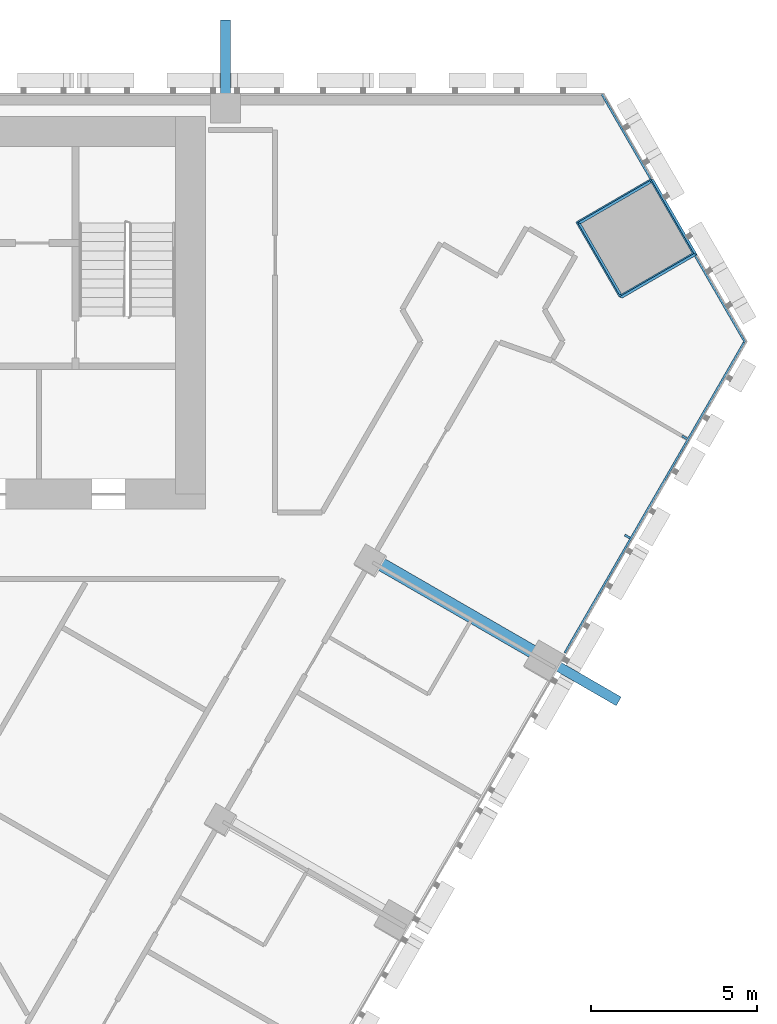
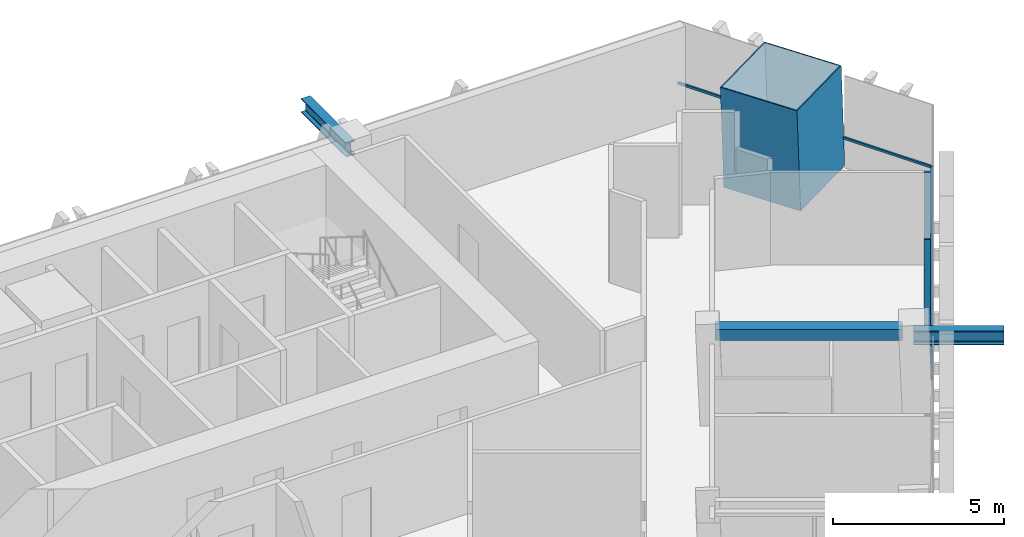
# One storey, part 6 of 15: 8 members, 1 beam, 2 elements without a shape of their own.
"""IFC4 building model written with IfcOpenShell, lengths in metres."""

from ifc_helpers import new_model, si_unit, direction, frame, origin, origin_2d, place, context, subcontext, project, spatial, rectangle, hollow_rectangle, i_section, extrude, material, layer, layer_set, material_profile, profile_set, type_object, element, aggregate, save


model = new_model("IFC4")

# Units and contexts
model_context = context("Model", 3, precision=1e-05, world=origin(), true_north=direction((0.0, 1.0)))
body_context = subcontext(model_context, "Body", "Model", "MODEL_VIEW")
ifc_project = project(units=[si_unit("LENGTHUNIT", "METRE"), si_unit("AREAUNIT", "SQUARE_METRE"), si_unit("VOLUMEUNIT", "CUBIC_METRE"), si_unit("PLANEANGLEUNIT", "RADIAN"), si_unit("MASSUNIT", "GRAM", prefix="KILO")], contexts=[model_context])

# Site, building, storey
site_placement = place(None, origin())
site = spatial("IfcSite", under=ifc_project, at=site_placement, CompositionType="ELEMENT")
building_placement = place(site_placement, origin())
building = spatial("IfcBuilding", under=site, at=building_placement, Name="Altiplano Prism Tower", CompositionType="ELEMENT")
storey_placement = place(building_placement, frame((0.0, 0.0, 91.800048828125)))
storey = spatial("IfcBuildingStorey", under=building, at=storey_placement, Name="L23", CompositionType="ELEMENT", Elevation=91.800048828125)

# Members
ifc_material_1 = material(Name="Steel S355", Category="steel")
ifc_material_profile_1 = material_profile(ifc_material_1, i_section(OverallWidth=0.300048828125, OverallDepth=0.5, WebThickness=0.014404296875, FlangeThickness=0.028076171875, FilletRadius=0.027099609375, at=origin_2d()), Name="Brace bracket HEB 500")
ifc_profile_set_1 = profile_set([ifc_material_profile_1], Name="Steel S355")
member_type_1 = type_object("IfcMemberType", Name="Brace bracket HEB 500", PredefinedType="STRUT", material=ifc_profile_set_1)
member_1_placement = place(storey_placement, frame((98.5, 104.550048828125, 2.949951171875), z_axis=(0.0, 1.0, 0.0), x_axis=(-1.0, 0.0, 0.0)))
element("IfcMember", 1, at=member_1_placement, inside=storey, type_object=member_type_1, Name="Brace bracket 0.95.4", PredefinedType="STRUT", context=body_context, shape_type="SweptSolid", body=[
    extrude(i_section(OverallWidth=0.300048828125, OverallDepth=0.5, WebThickness=0.014404296875, FlangeThickness=0.028076171875, FilletRadius=0.027099609375, at=origin_2d()), origin(), (0.0, 0.0, 1.0), 2.64990234375),
])
member_2_placement = place(storey_placement, frame((108.027099609375, 88.048828125, 2.949951171875), z_axis=(0.865989200783, -0.500062700197, 0.0), x_axis=(0.500062700197, 0.865989200783, 0.0)))
element("IfcMember", 2, at=member_2_placement, inside=storey, type_object=member_type_1, Name="Brace bracket 2.95.4", PredefinedType="STRUT", context=body_context, shape_type="SweptSolid", body=[
    extrude(i_section(OverallWidth=0.300048828125, OverallDepth=0.5, WebThickness=0.014404296875, FlangeThickness=0.028076171875, FilletRadius=0.027099609375, at=origin_2d()), origin(), (0.0, 0.0, 1.0), 2.650146484375),
])

# Curtain wall, members
ifc_material_2 = material(Name="Aluminium and glass", Category="aluminium")
ifc_layer = layer(ifc_material_2, 0.280029296875)
ifc_layer_set = layer_set([ifc_layer], Name="Aluminium and glass")
curtain_wall_type = type_object("IfcCurtainWallType", Name="CW1 typical co-living unitised curtain wall", PredefinedType="NOTDEFINED", material=ifc_layer_set)
curtain_wall_1_placement = place(storey_placement, origin())
curtain_wall_1 = element("IfcCurtainWall", 3, at=curtain_wall_1_placement, inside=storey, type_object=curtain_wall_type, Name="CW1 curtain wall south-east face L23", PredefinedType="NOTDEFINED")
ifc_material_3 = material(Name="Aluminium", Category="aluminium")
ifc_material_profile_2 = material_profile(ifc_material_3, rectangle(XDim=0.179931640625, YDim=0.06494140625, at=origin_2d()), Name="CW1 mullion 65 x 180")
ifc_profile_set_2 = profile_set([ifc_material_profile_2], Name="Aluminium")
member_type_2 = type_object("IfcMemberType", Name="CW1 mullion 65 x 180", PredefinedType="MULLION", material=ifc_profile_set_2)
member_3_placement = place(storey_placement, frame((110.582275390625, 91.67724609375, 0.0), z_axis=(0.0, 0.0, 1.0), x_axis=(-0.866025397248, 0.500000011321, 0.0)))
member_3 = element("IfcMember", 4, at=member_3_placement, type_object=member_type_2, Name="CW1 mullion", PredefinedType="MULLION", context=body_context, shape_type="SweptSolid", body=[
    extrude(rectangle(XDim=0.179931640625, YDim=0.06494140625, at=origin_2d()), origin(), (0.0, 0.0, 1.0), 3.300048828125),
])
member_4_placement = place(storey_placement, frame((112.302001953125, 94.656005859375, 0.0), z_axis=(0.0, 0.0, 1.0), x_axis=(-0.866025397248, 0.500000011321, 0.0)))
member_4 = element("IfcMember", 5, at=member_4_placement, type_object=member_type_2, Name="CW1 mullion", PredefinedType="MULLION", context=body_context, shape_type="SweptSolid", body=[
    extrude(rectangle(XDim=0.179931640625, YDim=0.06494140625, at=origin_2d()), origin(), (0.0, 0.0, 1.0), 3.300048828125),
])
ifc_material_profile_3 = material_profile(ifc_material_3, rectangle(XDim=0.06005859375, YDim=0.080078125, at=origin_2d()), Name="CW1 transom 80 x 60")
ifc_profile_set_3 = profile_set([ifc_material_profile_3], Name="Aluminium")
member_type_3 = type_object("IfcMemberType", Name="CW1 transom 80 x 60", PredefinedType="USERDEFINED", material=ifc_profile_set_3)
member_5_placement = place(storey_placement, frame((108.701171875, 88.17919921875, 1.099853515625), z_axis=(0.499987379426, 0.866032690154, 0.0), x_axis=(-0.866032690154, 0.499987379426, 0.0)))
member_5 = element("IfcMember", 6, at=member_5_placement, type_object=member_type_3, Name="CW1 transom", ObjectType="TRANSOM", PredefinedType="USERDEFINED", context=body_context, shape_type="SweptSolid", body=[
    extrude(rectangle(XDim=0.06005859375, YDim=0.080078125, at=origin_2d()), origin(), (0.0, 0.0, 1.0), 10.848876953125),
])
aggregate(curtain_wall_1, [member_3, member_4, member_5])

curtain_wall_2_placement = place(storey_placement, origin())
curtain_wall_2 = element("IfcCurtainWall", 7, at=curtain_wall_2_placement, inside=storey, type_object=curtain_wall_type, Name="CW1 curtain wall north-east chamfer L23", PredefinedType="NOTDEFINED")
member_6_placement = place(storey_placement, frame((114.12548828125, 97.504638671875, 1.099853515625), z_axis=(-0.500024640476, 0.866011177132, 0.0), x_axis=(-0.866011177132, -0.500024640476, 0.0)))
member_6 = element("IfcMember", 8, at=member_6_placement, type_object=member_type_3, Name="CW1 transom", ObjectType="TRANSOM", PredefinedType="USERDEFINED", context=body_context, shape_type="SweptSolid", body=[
    extrude(rectangle(XDim=0.06005859375, YDim=0.080078125, at=origin_2d()), origin(), (0.0, 0.0, 1.0), 3.007080078125),
])
member_7_placement = place(storey_placement, frame((111.281982421875, 102.429931640625, 1.099853515625), z_axis=(-0.499987164874, 0.866032814021, 0.0), x_axis=(-0.866032814021, -0.499987164874, 0.0)))
member_7 = element("IfcMember", 9, at=member_7_placement, type_object=member_type_3, Name="CW1 transom", ObjectType="TRANSOM", PredefinedType="USERDEFINED", context=body_context, shape_type="SweptSolid", body=[
    extrude(rectangle(XDim=0.06005859375, YDim=0.080078125, at=origin_2d()), origin(), (0.0, 0.0, 1.0), 2.92724609375),
])
aggregate(curtain_wall_2, [member_6, member_7])

# Member
ifc_material_4 = material(Name="Steel S460", Category="steel")
ifc_material_profile_4 = material_profile(ifc_material_4, hollow_rectangle(XDim=2.60009765625, YDim=2.60009765625, WallThickness=0.0400390625, at=origin_2d()), Name="Mega column tube 2600")
ifc_profile_set_4 = profile_set([ifc_material_profile_4], Name="Steel S460")
member_type_4 = type_object("IfcMemberType", Name="Mega column tube 2600", PredefinedType="POST", material=ifc_profile_set_4)
member_8_placement = place(storey_placement, frame((110.90673828125, 100.619873046875, 0.0), z_axis=(-0.028403739082, 0.009219352065, 0.999554016126), x_axis=(0.500754951448, -0.865304085665, 0.022210761635)))
element("IfcMember", 10, at=member_8_placement, inside=storey, type_object=member_type_4, Name="Mega column tube M2 L23", PredefinedType="POST", context=body_context, shape_type="SweptSolid", body=[
    extrude(hollow_rectangle(XDim=2.60009765625, YDim=2.60009765625, WallThickness=0.0400390625, at=origin_2d()), origin(), (0.0, 0.0, 1.0), 3.6015625),
])

# Beam
ifc_material_5 = material(Name="Concrete C60/75", Category="concrete")
ifc_material_profile_5 = material_profile(ifc_material_5, rectangle(XDim=0.39990234375, YDim=0.39990234375, at=origin_2d()), Name="Tie beam 400x400")
ifc_profile_set_5 = profile_set([ifc_material_profile_5], Name="Concrete C60/75")
beam_type = type_object("IfcBeamType", Name="Tie beam 400x400", PredefinedType="BEAM", material=ifc_profile_set_5)
beam_placement = place(storey_placement, frame((102.98681640625, 90.958740234375, 3.099853515625), z_axis=(0.866012292785, -0.50002270823, 0.0), x_axis=(0.50002270823, 0.866012292785, 0.0)))
element("IfcBeam", 11, at=beam_placement, inside=storey, type_object=beam_type, Name="Tie beam I24 L24", PredefinedType="BEAM", context=body_context, shape_type="SweptSolid", body=[
    extrude(rectangle(XDim=0.39990234375, YDim=0.39990234375, at=origin_2d()), origin(), (0.0, 0.0, 1.0), 5.489990234375),
])

save(model, "model.ifc")
